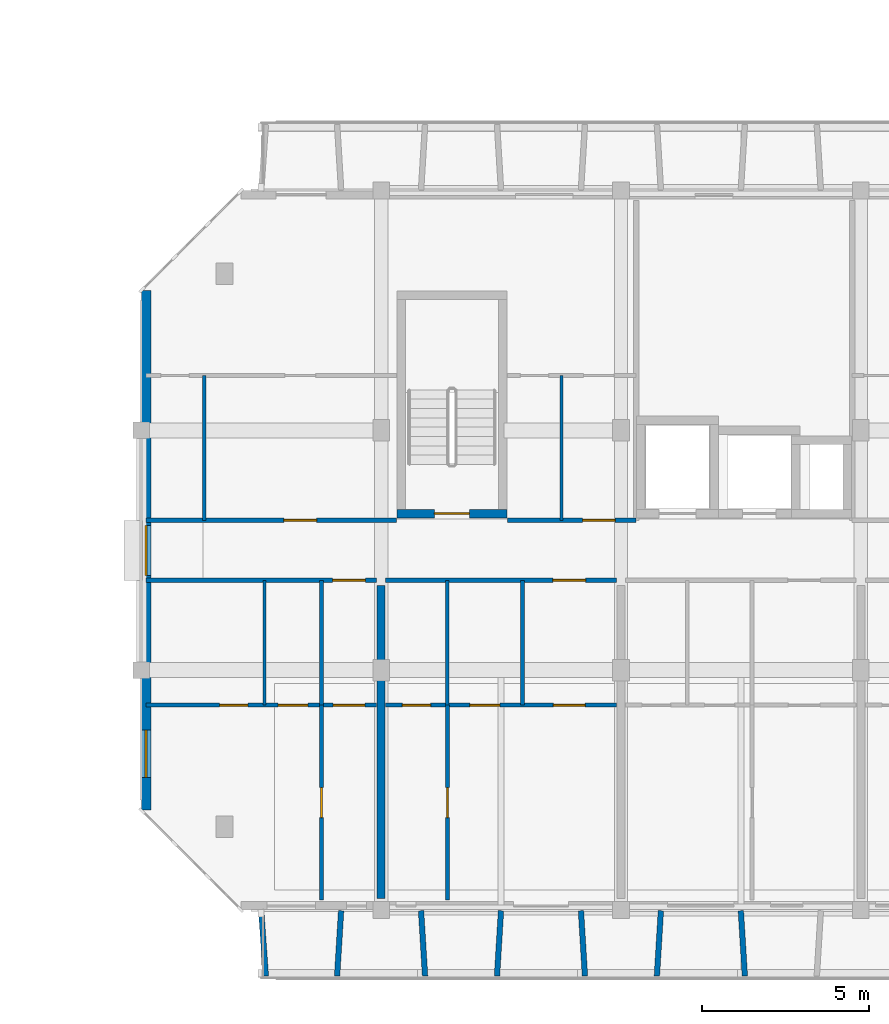
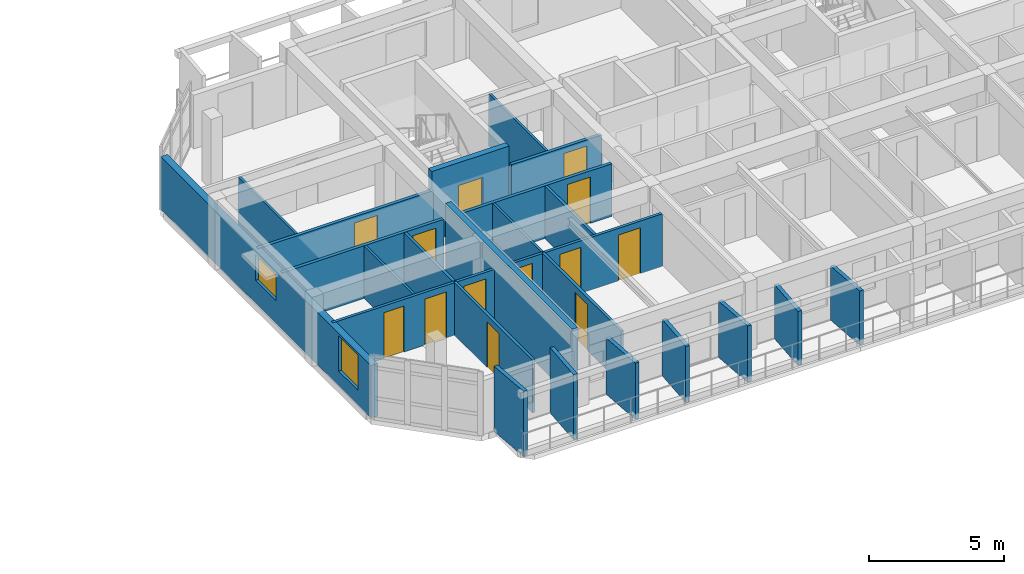
# One storey, part 23 of 45: 24 walls, 13 doors, 2 windows, 15 openings.
"""IFC4 building model written with IfcOpenShell, lengths in metres."""

from ifc_helpers import new_model, si_unit, direction, frame, frame_2d, origin, place, context, subcontext, project, spatial, rectangle, extrude, material, layer, layer_set, type_object, element, fill, save


model = new_model("IFC4")

# Units and contexts
model_context = context("Model", 3, precision=1e-05, world=origin(), true_north=direction((0.0, 1.0)))
body_context = subcontext(model_context, "Body", "Model", "MODEL_VIEW")
ifc_project = project(units=[si_unit("LENGTHUNIT", "METRE"), si_unit("AREAUNIT", "SQUARE_METRE"), si_unit("VOLUMEUNIT", "CUBIC_METRE"), si_unit("PLANEANGLEUNIT", "RADIAN"), si_unit("MASSUNIT", "GRAM", prefix="KILO")], contexts=[model_context])

# Site, building, storey
site_placement = place(None, origin())
site = spatial("IfcSite", under=ifc_project, at=site_placement, CompositionType="ELEMENT")
building_placement = place(site_placement, origin())
building = spatial("IfcBuilding", under=site, at=building_placement, Name="Ochrevale Crest", CompositionType="ELEMENT")
storey_placement = place(building_placement, frame((0.0, 0.0, 18.14990234375)))
storey = spatial("IfcBuildingStorey", under=building, at=storey_placement, Name="L05", CompositionType="ELEMENT", Elevation=18.14990234375)

# Wall, opening, door
ifc_material_1 = material(Name="Gypsum plasterboard", Category="gypsum")
ifc_layer_1 = layer(ifc_material_1, 0.139892578125)
ifc_layer_set_1 = layer_set([ifc_layer_1], Name="Gypsum plasterboard")
wall_type_1 = type_object("IfcWallType", Name="WL-COR-140", PredefinedType="PARTITIONING", material=ifc_layer_set_1)
wall_1_placement = place(storey_placement, frame((129.739990234375, 24.300048828125, 0.0), z_axis=(0.0, 0.0, 1.0), x_axis=(1.0, 0.0, 0.0)))
wall_1 = element("IfcWall", 1, at=wall_1_placement, inside=storey, type_object=wall_type_1, Name="Apartment C-L05-U1 corridor wall", PredefinedType="PARTITIONING", context=body_context, shape_type="SweptSolid", body=[
    extrude(rectangle(XDim=6.919921875, YDim=0.139892578125, at=frame_2d((3.4599609375, 0.0))), origin(), (0.0, 0.0, 1.0), 2.380126953125),
])
opening_1_placement = place(wall_1_placement, frame((5.60498046875, 0.0, 0.0)))
opening_1 = element("IfcOpeningElement", 2, at=opening_1_placement, cuts=wall_1, Name="Opening FD01", PredefinedType="OPENING", context=body_context, shape_type="SweptSolid", body=[
    extrude(rectangle(XDim=0.97998046875, YDim=2.10009765625, at=frame_2d((0.489990234375, 1.050048828125))), frame((0.0, 0.080078125, 0.0), z_axis=(0.0, -1.0, 0.0), x_axis=(1.0, 0.0, 0.0)), (0.0, 0.0, 1.0), 0.159912109375),
])
ifc_material_2 = material(Name="Solid-core FSC hardwood", Category="wood")
door_type_1 = type_object("IfcDoorType", Name="DR-APT-950", OperationType="NOTDEFINED", PredefinedType="DOOR", material=ifc_material_2)
door_1_placement = place(opening_1_placement, origin())
door_1 = element("IfcDoor", 3, at=door_1_placement, inside=storey, type_object=door_type_1, Name="Apartment C-L05-U1 entrance door", OperationType="SINGLE_SWING_LEFT", OverallHeight=2.10009765625, OverallWidth=0.97998046875, PredefinedType="DOOR", context=body_context, shape_type="SweptSolid", body=[
    extrude(rectangle(XDim=0.97998046875, YDim=2.10009765625, at=frame_2d((0.489990234375, 1.050048828125))), frame((0.0, 0.02490234375, 0.0), z_axis=(0.0, -1.0, 0.0), x_axis=(1.0, 0.0, 0.0)), (0.0, 0.0, 1.0), 0.050048828125),
])
fill(opening_1, door_1)

wall_2_placement = place(storey_placement, frame((136.93994140625, 24.300048828125, 0.0), z_axis=(0.0, 0.0, 1.0), x_axis=(1.0, 0.0, 0.0)))
wall_2 = element("IfcWall", 4, at=wall_2_placement, inside=storey, type_object=wall_type_1, Name="Apartment C-L05-U2 corridor wall", PredefinedType="PARTITIONING", context=body_context, shape_type="SweptSolid", body=[
    extrude(rectangle(XDim=6.920166015625, YDim=0.139892578125, at=frame_2d((3.4599609375, 0.0))), origin(), (0.0, 0.0, 1.0), 2.380126953125),
])
opening_2_placement = place(wall_2_placement, frame((6.0, 0.0, 0.0), z_axis=(0.0, 0.0, 1.0), x_axis=(-1.0, 0.0, 0.0)))
opening_2 = element("IfcOpeningElement", 5, at=opening_2_placement, cuts=wall_2, Name="Opening FD01", PredefinedType="OPENING", context=body_context, shape_type="SweptSolid", body=[
    extrude(rectangle(XDim=0.97998046875, YDim=2.10009765625, at=frame_2d((0.489990234375, 1.050048828125))), frame((0.0, 0.080078125, 0.0), z_axis=(0.0, -1.0, 0.0), x_axis=(1.0, 0.0, 0.0)), (0.0, 0.0, 1.0), 0.159912109375),
])
door_2_placement = place(opening_2_placement, origin())
door_2 = element("IfcDoor", 6, at=door_2_placement, inside=storey, type_object=door_type_1, Name="Apartment C-L05-U2 entrance door", OperationType="SINGLE_SWING_RIGHT", OverallHeight=2.10009765625, OverallWidth=0.97998046875, PredefinedType="DOOR", context=body_context, shape_type="SweptSolid", body=[
    extrude(rectangle(XDim=0.97998046875, YDim=2.10009765625, at=frame_2d((0.489990234375, 1.050048828125))), frame((0.0, 0.02490234375, 0.0), z_axis=(0.0, -1.0, 0.0), x_axis=(1.0, 0.0, 0.0)), (0.0, 0.0, 1.0), 0.050048828125),
])
fill(opening_2, door_2)

wall_3_placement = place(storey_placement, frame((129.739990234375, 26.10009765625, 0.0), z_axis=(0.0, 0.0, 1.0), x_axis=(1.0, 0.0, 0.0)))
wall_3 = element("IfcWall", 7, at=wall_3_placement, inside=storey, type_object=wall_type_1, Name="Suite C-L05-CW corridor wall", PredefinedType="PARTITIONING", context=body_context, shape_type="SweptSolid", body=[
    extrude(rectangle(XDim=7.52001953125, YDim=0.139892578125, at=frame_2d((3.760009765625, 0.0))), origin(), (0.0, 0.0, 1.0), 2.380126953125),
])
opening_3_placement = place(wall_3_placement, frame((5.125, 0.0, 0.0), z_axis=(0.0, 0.0, 1.0), x_axis=(-1.0, 0.0, 0.0)))
opening_3 = element("IfcOpeningElement", 8, at=opening_3_placement, cuts=wall_3, Name="Opening FD01", PredefinedType="OPENING", context=body_context, shape_type="SweptSolid", body=[
    extrude(rectangle(XDim=0.97998046875, YDim=2.10009765625, at=frame_2d((0.489990234375, 1.050048828125))), frame((0.0, 0.080078125, 0.0), z_axis=(0.0, -1.0, 0.0), x_axis=(1.0, 0.0, 0.0)), (0.0, 0.0, 1.0), 0.159912109375),
])
door_3_placement = place(opening_3_placement, origin())
door_3 = element("IfcDoor", 9, at=door_3_placement, inside=storey, type_object=door_type_1, Name="Suite C-L05-CW entrance door", OperationType="SINGLE_SWING_RIGHT", OverallHeight=2.10009765625, OverallWidth=0.97998046875, PredefinedType="DOOR", context=body_context, shape_type="SweptSolid", body=[
    extrude(rectangle(XDim=0.97998046875, YDim=2.10009765625, at=frame_2d((0.489990234375, 1.050048828125))), frame((0.0, 0.02490234375, 0.0), z_axis=(0.0, -1.0, 0.0), x_axis=(1.0, 0.0, 0.0)), (0.0, 0.0, 1.0), 0.050048828125),
])
fill(opening_3, door_3)

wall_4_placement = place(storey_placement, frame((140.590087890625, 26.10009765625, 0.0), z_axis=(0.0, 0.0, 1.0), x_axis=(1.0, 0.0, 0.0)))
wall_4 = element("IfcWall", 10, at=wall_4_placement, inside=storey, type_object=wall_type_1, Name="Suite C-L05-MW corridor wall", PredefinedType="PARTITIONING", context=body_context, shape_type="SweptSolid", body=[
    extrude(rectangle(XDim=3.869873046875, YDim=0.139892578125, at=frame_2d((1.93505859375, 0.0))), origin(), (0.0, 0.0, 1.0), 2.380126953125),
])
opening_4_placement = place(wall_4_placement, frame((2.2578125, 0.0, 0.0)))
opening_4 = element("IfcOpeningElement", 11, at=opening_4_placement, cuts=wall_4, Name="Opening FD01", PredefinedType="OPENING", context=body_context, shape_type="SweptSolid", body=[
    extrude(rectangle(XDim=0.97998046875, YDim=2.10009765625, at=frame_2d((0.489990234375, 1.050048828125))), frame((0.0, 0.080078125, 0.0), z_axis=(0.0, -1.0, 0.0), x_axis=(1.0, 0.0, 0.0)), (0.0, 0.0, 1.0), 0.159912109375),
])
door_4_placement = place(opening_4_placement, origin())
door_4 = element("IfcDoor", 12, at=door_4_placement, inside=storey, type_object=door_type_1, Name="Suite C-L05-MW entrance door", OperationType="SINGLE_SWING_LEFT", OverallHeight=2.10009765625, OverallWidth=0.97998046875, PredefinedType="DOOR", context=body_context, shape_type="SweptSolid", body=[
    extrude(rectangle(XDim=0.97998046875, YDim=2.10009765625, at=frame_2d((0.489990234375, 1.050048828125))), frame((0.0, 0.02490234375, 0.0), z_axis=(0.0, -1.0, 0.0), x_axis=(1.0, 0.0, 0.0)), (0.0, 0.0, 1.0), 0.050048828125),
])
fill(opening_4, door_4)

ifc_material_3 = material(Name="Precast concrete C50/60", Category="concrete")
ifc_layer_2 = layer(ifc_material_3, 0.2548828125)
ifc_layer_set_2 = layer_set([ifc_layer_2], Name="Precast concrete C50/60")
wall_type_2 = type_object("IfcWallType", Name="WL-CORE-255", PredefinedType="SHEAR", material=ifc_layer_set_2)
wall_5_placement = place(storey_placement, frame((137.2724609375, 26.300048828125, 0.0), z_axis=(0.0, 0.0, 1.0), x_axis=(1.0, 0.0, 0.0)))
wall_5 = element("IfcWall", 13, at=wall_5_placement, inside=storey, type_object=wall_type_2, Name="Block C L05 Stair 1 precast core shear wall S", PredefinedType="SHEAR", context=body_context, shape_type="SweptSolid", body=[
    extrude(rectangle(XDim=3.304931640625, YDim=0.2548828125, at=frame_2d((1.65234375, 0.0))), origin(), (0.0, 0.0, 1.0), 3.150146484375),
])
opening_5_placement = place(wall_5_placement, frame((2.177490234375, 0.0, 0.0), z_axis=(0.0, 0.0, 1.0), x_axis=(-1.0, 0.0, 0.0)))
opening_5 = element("IfcOpeningElement", 14, at=opening_5_placement, cuts=wall_5, Name="Opening FD03", PredefinedType="OPENING", context=body_context, shape_type="SweptSolid", body=[
    extrude(rectangle(XDim=1.050048828125, YDim=2.1201171875, at=frame_2d((0.52490234375, 1.06005859375))), frame((0.0, 0.137451171875, 0.0), z_axis=(0.0, -1.0, 0.0), x_axis=(1.0, 0.0, 0.0)), (0.0, 0.0, 1.0), 0.27490234375),
])
door_type_2 = type_object("IfcDoorType", Name="DR-ST-1050", OperationType="NOTDEFINED", PredefinedType="DOOR", material=ifc_material_2)
door_5_placement = place(opening_5_placement, origin())
door_5 = element("IfcDoor", 15, at=door_5_placement, inside=storey, type_object=door_type_2, Name="Block C L05 fire stair 1 door", OperationType="SINGLE_SWING_RIGHT", OverallHeight=2.1201171875, OverallWidth=1.050048828125, PredefinedType="DOOR", context=body_context, shape_type="SweptSolid", body=[
    extrude(rectangle(XDim=1.050048828125, YDim=2.1201171875, at=frame_2d((0.52490234375, 1.06005859375))), frame((0.0, 0.02490234375, 0.0), z_axis=(0.0, -1.0, 0.0), x_axis=(1.0, 0.0, 0.0)), (0.0, 0.0, 1.0), 0.050048828125),
])
fill(opening_5, door_5)

# Wall, openings, windows
ifc_material_4 = material(Name="Clay face brickwork", Category="masonry")
ifc_layer_3 = layer(ifc_material_4, 0.2900390625)
ifc_layer_set_3 = layer_set([ifc_layer_3], Name="Clay face brickwork")
wall_type_3 = type_object("IfcWallType", Name="WL-EXT-BRICK-290", PredefinedType="SOLIDWALL", material=ifc_layer_set_3)
wall_6_placement = place(storey_placement, frame((129.7451171875, 33.0, 0.0), z_axis=(0.0, 0.0, 1.0), x_axis=(0.0, -1.0, 0.0)))
wall_6 = element("IfcWall", 16, at=wall_6_placement, inside=storey, type_object=wall_type_3, Name="Block C L05 external facade wall E7", PredefinedType="SOLIDWALL", context=body_context, shape_type="SweptSolid", body=[
    extrude(rectangle(XDim=15.60009765625, YDim=0.2900390625, at=frame_2d((7.800048828125, 0.0))), origin(), (0.0, 0.0, 1.0), 2.380126953125),
])
opening_6_placement = place(wall_6_placement, frame((7.050048828125, 0.0, 1.050048828125)))
opening_6 = element("IfcOpeningElement", 17, at=opening_6_placement, cuts=wall_6, Name="Opening W18", PredefinedType="OPENING", context=body_context, shape_type="SweptSolid", body=[
    extrude(rectangle(XDim=1.5, YDim=1.14990234375, at=frame_2d((0.75, 0.574951171875))), frame((0.0, 0.155029296875, 0.0), z_axis=(0.0, -1.0, 0.0), x_axis=(1.0, 0.0, 0.0)), (0.0, 0.0, 1.0), 0.31005859375),
])
opening_7_placement = place(wall_6_placement, frame((13.199951171875, 0.0, 0.669921875)))
opening_7 = element("IfcOpeningElement", 18, at=opening_7_placement, cuts=wall_6, Name="Opening W31", PredefinedType="OPENING", context=body_context, shape_type="SweptSolid", body=[
    extrude(rectangle(XDim=1.419921875, YDim=1.60009765625, at=frame_2d((0.7099609375, 0.800048828125))), frame((0.0, 0.155029296875, 0.0), z_axis=(0.0, -1.0, 0.0), x_axis=(1.0, 0.0, 0.0)), (0.0, 0.0, 1.0), 0.31005859375),
])
ifc_material_5 = material(Name="Anodised aluminium 6063-T5 and low-E double glazing", Category="aluminium")
window_type_1 = type_object("IfcWindowType", Name="WIN-W18", PartitioningType="SINGLE_PANEL", PredefinedType="WINDOW", material=ifc_material_5)
window_1_placement = place(opening_6_placement, origin())
window_1 = element("IfcWindow", 19, at=window_1_placement, inside=storey, type_object=window_type_1, Name="Block C L05 corridor end daylight window W", OverallHeight=1.14990234375, OverallWidth=1.5, PartitioningType="SINGLE_PANEL", PredefinedType="WINDOW", context=body_context, shape_type="SweptSolid", body=[
    extrude(rectangle(XDim=1.5, YDim=1.14990234375, at=frame_2d((0.75, 0.574951171875))), frame((0.0, 0.030029296875, 0.0), z_axis=(0.0, -1.0, 0.0), x_axis=(1.0, 0.0, 0.0)), (0.0, 0.0, 1.0), 0.06005859375),
])
fill(opening_6, window_1)
window_type_2 = type_object("IfcWindowType", Name="WIN-W31", PartitioningType="SINGLE_PANEL", PredefinedType="WINDOW", material=ifc_material_5)
window_2_placement = place(opening_7_placement, origin())
window_2 = element("IfcWindow", 20, at=window_2_placement, inside=storey, type_object=window_type_2, Name="Block C L05 side suite window W", OverallHeight=1.60009765625, OverallWidth=1.419921875, PartitioningType="SINGLE_PANEL", PredefinedType="WINDOW", context=body_context, shape_type="SweptSolid", body=[
    extrude(rectangle(XDim=1.419921875, YDim=1.60009765625, at=frame_2d((0.7099609375, 0.800048828125))), frame((0.0, 0.030029296875, 0.0), z_axis=(0.0, -1.0, 0.0), x_axis=(1.0, 0.0, 0.0)), (0.0, 0.0, 1.0), 0.06005859375),
])
fill(opening_7, window_2)

# Walls
ifc_material_6 = material(Name="Precast concrete C40/50", Category="concrete")
ifc_layer_4 = layer(ifc_material_6, 0.1650390625)
ifc_layer_set_4 = layer_set([ifc_layer_4], Name="Precast concrete C40/50")
wall_type_4 = type_object("IfcWallType", Name="WL-HC-CHEEK-165", PredefinedType="ELEMENTEDWALL", material=ifc_layer_set_4)
wall_7_placement = place(storey_placement, frame((133.199951171875, 14.3798828125, 0.0), z_axis=(0.0, 0.0, 1.0), x_axis=(0.071317687608, -0.997453651772, 0.0)))
element("IfcWall", 21, at=wall_7_placement, inside=storey, type_object=wall_type_4, Name="Block C L05 S precast honeycomb cheek 1", PredefinedType="ELEMENTEDWALL", context=body_context, shape_type="SweptSolid", body=[
    extrude(rectangle(XDim=1.96484375, YDim=0.1650390625, at=frame_2d((0.982421875, 0.0))), origin(), (0.0, 0.0, 1.0), 2.9501953125),
])
wall_8_placement = place(storey_placement, frame((135.60009765625, 14.3798828125, 0.0), z_axis=(0.0, 0.0, 1.0), x_axis=(-0.061170732449, -0.998127317276, 0.0)))
element("IfcWall", 22, at=wall_8_placement, inside=storey, type_object=wall_type_4, Name="Block C L05 S precast honeycomb cheek 2", PredefinedType="ELEMENTEDWALL", context=body_context, shape_type="SweptSolid", body=[
    extrude(rectangle(XDim=1.963623046875, YDim=0.1650390625, at=frame_2d((0.98193359375, 0.0))), origin(), (0.0, 0.0, 1.0), 2.9501953125),
])
for number, where, z_axis, x_axis, name in (
    (23, (138.0, 14.3798828125, 0.0), (0.0, 0.0, 1.0), (0.061170732449, -0.998127317276, 0.0), "Block C L05 S precast honeycomb cheek 3"),
    (24, (140.39990234375, 14.3798828125, 0.0), (0.0, 0.0, 1.0), (-0.061046865508, -0.998134900808, 0.0), "Block C L05 S precast honeycomb cheek 4"),
    (25, (142.800048828125, 14.3798828125, 0.0), (0.0, 0.0, 1.0), (0.061046865508, -0.998134900808, 0.0), "Block C L05 S precast honeycomb cheek 5"),
):
    element("IfcWall", number, at=place(storey_placement, frame(where, z_axis=z_axis, x_axis=x_axis)), inside=storey, type_object=wall_type_4, Name=name, PredefinedType="ELEMENTEDWALL", context=body_context, shape_type="SweptSolid", body=[
        extrude(rectangle(XDim=1.963623046875, YDim=0.1650390625, at=frame_2d((0.98193359375, 0.0))), origin(), (0.0, 0.0, 1.0), 2.550048828125),
    ])
for number, where, z_axis, x_axis, name in (
    (26, (145.199951171875, 14.3798828125, 0.0), (0.0, 0.0, 1.0), (-0.061046865508, -0.998134900808, 0.0), "Block C L05 S precast honeycomb cheek 6"),
    (27, (147.60009765625, 14.3798828125, 0.0), (0.0, 0.0, 1.0), (0.061046865508, -0.998134900808, 0.0), "Block C L05 S precast honeycomb cheek 7"),
):
    element("IfcWall", number, at=place(storey_placement, frame(where, z_axis=z_axis, x_axis=x_axis)), inside=storey, type_object=wall_type_4, Name=name, PredefinedType="ELEMENTEDWALL", context=body_context, shape_type="SweptSolid", body=[
        extrude(rectangle(XDim=1.963623046875, YDim=0.1650390625, at=frame_2d((0.98193359375, 0.0))), origin(), (0.0, 0.0, 1.0), 2.4501953125),
    ])
ifc_layer_5 = layer(ifc_material_1, 0.1201171875)
ifc_layer_set_5 = layer_set([ifc_layer_5], Name="Gypsum plasterboard")
wall_type_5 = type_object("IfcWallType", Name="WL-PART-120", PredefinedType="PARTITIONING", material=ifc_layer_set_5)
wall_9_placement = place(storey_placement, frame((135.010009765625, 20.550048828125, 0.0), z_axis=(0.0, 0.0, 1.0), x_axis=(0.0, 1.0, 0.0)))
element("IfcWall", 28, at=wall_9_placement, inside=storey, type_object=wall_type_5, Name="Apartment C-L05-U1 kitchen-foyer wall", PredefinedType="PARTITIONING", context=body_context, shape_type="SweptSolid", body=[
    extrude(rectangle(XDim=3.75, YDim=0.1201171875, at=frame_2d((1.875, 0.0))), origin(), (0.0, 0.0, 1.0), 2.375),
])

# Wall, openings, doors
wall_10_placement = place(storey_placement, frame((129.739990234375, 20.550048828125, 0.0), z_axis=(0.0, 0.0, 1.0), x_axis=(1.0, 0.0, 0.0)))
wall_10 = element("IfcWall", 29, at=wall_10_placement, inside=storey, type_object=wall_type_5, Name="Apartment C-L05-U1 central partition", PredefinedType="PARTITIONING", context=body_context, shape_type="SweptSolid", body=[
    extrude(rectangle(XDim=6.919921875, YDim=0.1201171875, at=frame_2d((3.4599609375, 0.0))), origin(), (0.0, 0.0, 1.0), 2.380126953125),
])
opening_8_placement = place(wall_10_placement, frame((3.06005859375, 0.0, 0.0), z_axis=(0.0, 0.0, 1.0), x_axis=(-1.0, 0.0, 0.0)))
opening_8 = element("IfcOpeningElement", 30, at=opening_8_placement, cuts=wall_10, Name="Opening ID01", PredefinedType="OPENING", context=body_context, shape_type="SweptSolid", body=[
    extrude(rectangle(XDim=0.85009765625, YDim=2.080078125, at=frame_2d((0.425048828125, 1.0400390625))), frame((0.0, 0.070068359375, 0.0), z_axis=(0.0, -1.0, 0.0), x_axis=(1.0, 0.0, 0.0)), (0.0, 0.0, 1.0), 0.14013671875),
])
opening_9_placement = place(wall_10_placement, frame((3.965087890625, 0.0, 0.0)))
opening_9 = element("IfcOpeningElement", 31, at=opening_9_placement, cuts=wall_10, Name="Opening ID02", PredefinedType="OPENING", context=body_context, shape_type="SweptSolid", body=[
    extrude(rectangle(XDim=0.89990234375, YDim=2.080078125, at=frame_2d((0.449951171875, 1.0400390625))), frame((0.0, 0.070068359375, 0.0), z_axis=(0.0, -1.0, 0.0), x_axis=(1.0, 0.0, 0.0)), (0.0, 0.0, 1.0), 0.14013671875),
])
opening_10_placement = place(wall_10_placement, frame((6.570068359375, 0.0, 0.0), z_axis=(0.0, 0.0, 1.0), x_axis=(-1.0, 0.0, 0.0)))
opening_10 = element("IfcOpeningElement", 32, at=opening_10_placement, cuts=wall_10, Name="Opening ID06", PredefinedType="OPENING", context=body_context, shape_type="SweptSolid", body=[
    extrude(rectangle(XDim=0.949951171875, YDim=2.080078125, at=frame_2d((0.47509765625, 1.0400390625))), frame((0.0, 0.070068359375, 0.0), z_axis=(0.0, -1.0, 0.0), x_axis=(1.0, 0.0, 0.0)), (0.0, 0.0, 1.0), 0.14013671875),
])
door_type_3 = type_object("IfcDoorType", Name="DR-INT-900", OperationType="NOTDEFINED", PredefinedType="DOOR", material=ifc_material_2)
door_6_placement = place(opening_9_placement, origin())
door_6 = element("IfcDoor", 33, at=door_6_placement, inside=storey, type_object=door_type_3, Name="Apartment C-L05-U1 Kitchen door", OperationType="SINGLE_SWING_LEFT", OverallHeight=2.080078125, OverallWidth=0.89990234375, PredefinedType="DOOR", context=body_context, shape_type="SweptSolid", body=[
    extrude(rectangle(XDim=0.89990234375, YDim=2.080078125, at=frame_2d((0.449951171875, 1.0400390625))), frame((0.0, 0.02490234375, 0.0), z_axis=(0.0, -1.0, 0.0), x_axis=(1.0, 0.0, 0.0)), (0.0, 0.0, 1.0), 0.050048828125),
])
fill(opening_9, door_6)
door_type_4 = type_object("IfcDoorType", Name="DR-INT-950", OperationType="NOTDEFINED", PredefinedType="DOOR", material=ifc_material_2)
door_7_placement = place(opening_10_placement, origin())
door_7 = element("IfcDoor", 34, at=door_7_placement, inside=storey, type_object=door_type_4, Name="Apartment C-L05-U1 Living Foyer door", OperationType="SINGLE_SWING_RIGHT", OverallHeight=2.080078125, OverallWidth=0.949951171875, PredefinedType="DOOR", context=body_context, shape_type="SweptSolid", body=[
    extrude(rectangle(XDim=0.949951171875, YDim=2.080078125, at=frame_2d((0.47509765625, 1.0400390625))), frame((0.0, 0.02490234375, 0.0), z_axis=(0.0, -1.0, 0.0), x_axis=(1.0, 0.0, 0.0)), (0.0, 0.0, 1.0), 0.050048828125),
])
fill(opening_10, door_7)
door_type_5 = type_object("IfcDoorType", Name="DR-WC-850", OperationType="NOTDEFINED", PredefinedType="DOOR", material=ifc_material_2)
door_8_placement = place(opening_8_placement, origin())
door_8 = element("IfcDoor", 35, at=door_8_placement, inside=storey, type_object=door_type_5, Name="Apartment C-L05-U1 Bathroom door", OperationType="SINGLE_SWING_RIGHT", OverallHeight=2.080078125, OverallWidth=0.85009765625, PredefinedType="DOOR", context=body_context, shape_type="SweptSolid", body=[
    extrude(rectangle(XDim=0.85009765625, YDim=2.080078125, at=frame_2d((0.425048828125, 1.0400390625))), frame((0.0, 0.02490234375, 0.0), z_axis=(0.0, -1.0, 0.0), x_axis=(1.0, 0.0, 0.0)), (0.0, 0.0, 1.0), 0.050048828125),
])
fill(opening_8, door_8)

# Wall, opening, door
wall_11_placement = place(storey_placement, frame((135.010009765625, 14.699951171875, 0.0), z_axis=(0.0, 0.0, 1.0), x_axis=(0.0, 1.0, 0.0)))
wall_11 = element("IfcWall", 36, at=wall_11_placement, inside=storey, type_object=wall_type_5, Name="Apartment C-L05-U1 bedroom partition", PredefinedType="PARTITIONING", context=body_context, shape_type="SweptSolid", body=[
    extrude(rectangle(XDim=5.85009765625, YDim=0.1201171875, at=frame_2d((2.925048828125, 0.0))), origin(), (0.0, 0.0, 1.0), 2.380126953125),
])
opening_11_placement = place(wall_11_placement, frame((2.47509765625, 0.0, 0.0)))
opening_11 = element("IfcOpeningElement", 37, at=opening_11_placement, cuts=wall_11, Name="Opening ID02", PredefinedType="OPENING", context=body_context, shape_type="SweptSolid", body=[
    extrude(rectangle(XDim=0.89990234375, YDim=2.080078125, at=frame_2d((0.449951171875, 1.0400390625))), frame((0.0, 0.070068359375, 0.0), z_axis=(0.0, -1.0, 0.0), x_axis=(1.0, 0.0, 0.0)), (0.0, 0.0, 1.0), 0.14013671875),
])
door_9_placement = place(opening_11_placement, origin())
door_9 = element("IfcDoor", 38, at=door_9_placement, inside=storey, type_object=door_type_3, Name="Apartment C-L05-U1 Master Bedroom door", OperationType="SINGLE_SWING_LEFT", OverallHeight=2.080078125, OverallWidth=0.89990234375, PredefinedType="DOOR", context=body_context, shape_type="SweptSolid", body=[
    extrude(rectangle(XDim=0.89990234375, YDim=2.080078125, at=frame_2d((0.449951171875, 1.0400390625))), frame((0.0, 0.02490234375, 0.0), z_axis=(0.0, -1.0, 0.0), x_axis=(1.0, 0.0, 0.0)), (0.0, 0.0, 1.0), 0.050048828125),
])
fill(opening_11, door_9)

# Wall
wall_12_placement = place(storey_placement, frame((141.0400390625, 20.550048828125, 0.0), z_axis=(0.0, 0.0, 1.0), x_axis=(0.0, 1.0, 0.0)))
element("IfcWall", 39, at=wall_12_placement, inside=storey, type_object=wall_type_5, Name="Apartment C-L05-U2 kitchen-foyer wall", PredefinedType="PARTITIONING", context=body_context, shape_type="SweptSolid", body=[
    extrude(rectangle(XDim=3.75, YDim=0.1201171875, at=frame_2d((1.875, 0.0))), origin(), (0.0, 0.0, 1.0), 2.375),
])

# Wall, openings, doors
wall_13_placement = place(storey_placement, frame((136.93994140625, 20.550048828125, 0.0), z_axis=(0.0, 0.0, 1.0), x_axis=(1.0, 0.0, 0.0)))
wall_13 = element("IfcWall", 40, at=wall_13_placement, inside=storey, type_object=wall_type_5, Name="Apartment C-L05-U2 central partition", PredefinedType="PARTITIONING", context=body_context, shape_type="SweptSolid", body=[
    extrude(rectangle(XDim=6.920166015625, YDim=0.1201171875, at=frame_2d((3.4599609375, 0.0))), origin(), (0.0, 0.0, 1.0), 2.380126953125),
])
opening_12_placement = place(wall_13_placement, frame((0.5, 0.0, 0.0)))
opening_12 = element("IfcOpeningElement", 41, at=opening_12_placement, cuts=wall_13, Name="Opening ID01", PredefinedType="OPENING", context=body_context, shape_type="SweptSolid", body=[
    extrude(rectangle(XDim=0.85009765625, YDim=2.080078125, at=frame_2d((0.425048828125, 1.0400390625))), frame((0.0, 0.070068359375, 0.0), z_axis=(0.0, -1.0, 0.0), x_axis=(1.0, 0.0, 0.0)), (0.0, 0.0, 1.0), 0.14013671875),
])
opening_13_placement = place(wall_13_placement, frame((3.4248046875, 0.0, 0.0), z_axis=(0.0, 0.0, 1.0), x_axis=(-1.0, 0.0, 0.0)))
opening_13 = element("IfcOpeningElement", 42, at=opening_13_placement, cuts=wall_13, Name="Opening ID02", PredefinedType="OPENING", context=body_context, shape_type="SweptSolid", body=[
    extrude(rectangle(XDim=0.89990234375, YDim=2.080078125, at=frame_2d((0.449951171875, 1.0400390625))), frame((0.0, 0.070068359375, 0.0), z_axis=(0.0, -1.0, 0.0), x_axis=(1.0, 0.0, 0.0)), (0.0, 0.0, 1.0), 0.14013671875),
])
opening_14_placement = place(wall_13_placement, frame((5.034912109375, 0.0, 0.0)))
opening_14 = element("IfcOpeningElement", 43, at=opening_14_placement, cuts=wall_13, Name="Opening ID06", PredefinedType="OPENING", context=body_context, shape_type="SweptSolid", body=[
    extrude(rectangle(XDim=0.949951171875, YDim=2.080078125, at=frame_2d((0.47509765625, 1.0400390625))), frame((0.0, 0.070068359375, 0.0), z_axis=(0.0, -1.0, 0.0), x_axis=(1.0, 0.0, 0.0)), (0.0, 0.0, 1.0), 0.14013671875),
])
door_10_placement = place(opening_13_placement, origin())
door_10 = element("IfcDoor", 44, at=door_10_placement, inside=storey, type_object=door_type_3, Name="Apartment C-L05-U2 Kitchen door", OperationType="SINGLE_SWING_RIGHT", OverallHeight=2.080078125, OverallWidth=0.89990234375, PredefinedType="DOOR", context=body_context, shape_type="SweptSolid", body=[
    extrude(rectangle(XDim=0.89990234375, YDim=2.080078125, at=frame_2d((0.449951171875, 1.0400390625))), frame((0.0, 0.02490234375, 0.0), z_axis=(0.0, -1.0, 0.0), x_axis=(1.0, 0.0, 0.0)), (0.0, 0.0, 1.0), 0.050048828125),
])
fill(opening_13, door_10)
door_11_placement = place(opening_14_placement, origin())
door_11 = element("IfcDoor", 45, at=door_11_placement, inside=storey, type_object=door_type_4, Name="Apartment C-L05-U2 Living Foyer door", OperationType="SINGLE_SWING_LEFT", OverallHeight=2.080078125, OverallWidth=0.949951171875, PredefinedType="DOOR", context=body_context, shape_type="SweptSolid", body=[
    extrude(rectangle(XDim=0.949951171875, YDim=2.080078125, at=frame_2d((0.47509765625, 1.0400390625))), frame((0.0, 0.02490234375, 0.0), z_axis=(0.0, -1.0, 0.0), x_axis=(1.0, 0.0, 0.0)), (0.0, 0.0, 1.0), 0.050048828125),
])
fill(opening_14, door_11)
door_12_placement = place(opening_12_placement, origin())
door_12 = element("IfcDoor", 46, at=door_12_placement, inside=storey, type_object=door_type_5, Name="Apartment C-L05-U2 Bathroom door", OperationType="SINGLE_SWING_LEFT", OverallHeight=2.080078125, OverallWidth=0.85009765625, PredefinedType="DOOR", context=body_context, shape_type="SweptSolid", body=[
    extrude(rectangle(XDim=0.85009765625, YDim=2.080078125, at=frame_2d((0.425048828125, 1.0400390625))), frame((0.0, 0.02490234375, 0.0), z_axis=(0.0, -1.0, 0.0), x_axis=(1.0, 0.0, 0.0)), (0.0, 0.0, 1.0), 0.050048828125),
])
fill(opening_12, door_12)

# Wall, opening, door
wall_14_placement = place(storey_placement, frame((138.7900390625, 14.699951171875, 0.0), z_axis=(0.0, 0.0, 1.0), x_axis=(0.0, 1.0, 0.0)))
wall_14 = element("IfcWall", 47, at=wall_14_placement, inside=storey, type_object=wall_type_5, Name="Apartment C-L05-U2 bedroom partition", PredefinedType="PARTITIONING", context=body_context, shape_type="SweptSolid", body=[
    extrude(rectangle(XDim=5.85009765625, YDim=0.1201171875, at=frame_2d((2.925048828125, 0.0))), origin(), (0.0, 0.0, 1.0), 2.380126953125),
])
opening_15_placement = place(wall_14_placement, frame((3.375, 0.0, 0.0), z_axis=(0.0, 0.0, 1.0), x_axis=(-1.0, 0.0, 0.0)))
opening_15 = element("IfcOpeningElement", 48, at=opening_15_placement, cuts=wall_14, Name="Opening ID02", PredefinedType="OPENING", context=body_context, shape_type="SweptSolid", body=[
    extrude(rectangle(XDim=0.89990234375, YDim=2.080078125, at=frame_2d((0.449951171875, 1.0400390625))), frame((0.0, 0.070068359375, 0.0), z_axis=(0.0, -1.0, 0.0), x_axis=(1.0, 0.0, 0.0)), (0.0, 0.0, 1.0), 0.14013671875),
])
door_13_placement = place(opening_15_placement, origin())
door_13 = element("IfcDoor", 49, at=door_13_placement, inside=storey, type_object=door_type_3, Name="Apartment C-L05-U2 Twin Bedroom door", OperationType="SINGLE_SWING_RIGHT", OverallHeight=2.080078125, OverallWidth=0.89990234375, PredefinedType="DOOR", context=body_context, shape_type="SweptSolid", body=[
    extrude(rectangle(XDim=0.89990234375, YDim=2.080078125, at=frame_2d((0.449951171875, 1.0400390625))), frame((0.0, 0.02490234375, 0.0), z_axis=(0.0, -1.0, 0.0), x_axis=(1.0, 0.0, 0.0)), (0.0, 0.0, 1.0), 0.050048828125),
])
fill(opening_15, door_13)

# Walls
ifc_layer_6 = layer(ifc_material_3, 0.239990234375)
ifc_layer_set_6 = layer_set([ifc_layer_6], Name="Precast concrete C50/60")
wall_type_6 = type_object("IfcWallType", Name="WL-SHEAR-240", PredefinedType="SHEAR", material=ifc_layer_set_6)
wall_15_placement = place(storey_placement, frame((136.800048828125, 14.75, 0.0), z_axis=(0.0, 0.0, 1.0), x_axis=(0.0, 1.0, 0.0)))
element("IfcWall", 50, at=wall_15_placement, inside=storey, type_object=wall_type_6, Name="Block C L05 load-bearing precast cross-wall X=136.8", PredefinedType="SHEAR", context=body_context, shape_type="SweptSolid", body=[
    extrude(rectangle(XDim=9.39990234375, YDim=0.239990234375, at=frame_2d((4.699951171875, 0.0))), origin(), (0.0, 0.0, 1.0), 3.150146484375),
])
ifc_layer_7 = layer(ifc_material_1, 0.10009765625)
ifc_layer_set_7 = layer_set([ifc_layer_7], Name="Gypsum plasterboard")
wall_type_7 = type_object("IfcWallType", Name="WL-WET-100", PredefinedType="PARTITIONING", material=ifc_layer_set_7)
for number, where, z_axis, x_axis, name in (
    (51, (133.300048828125, 20.550048828125, 0.0), (0.0, 0.0, 1.0), (0.0, 1.0, 0.0), "Apartment C-L05-U1 bath-kitchen wall"),
    (52, (138.7900390625, 20.550048828125, 0.0), (0.0, 0.0, 1.0), (0.0, 1.0, 0.0), "Apartment C-L05-U2 bath-kitchen wall"),
):
    element("IfcWall", number, at=place(storey_placement, frame(where, z_axis=z_axis, x_axis=x_axis)), inside=storey, type_object=wall_type_7, Name=name, PredefinedType="PARTITIONING", context=body_context, shape_type="SweptSolid", body=[
        extrude(rectangle(XDim=3.75, YDim=0.10009765625, at=frame_2d((1.875, 0.0))), origin(), (0.0, 0.0, 1.0), 2.375),
    ])
for number, where, z_axis, x_axis, name in (
    (53, (131.489990234375, 26.10009765625, 0.0), (0.0, 0.0, 1.0), (0.0, 1.0, 0.0), "Suite C-L05-CW bathroom divider"),
    (54, (142.21533203125, 26.10009765625, 0.0), (0.0, 0.0, 1.0), (0.0, 1.0, 0.0), "Suite C-L05-MW bathroom divider"),
):
    element("IfcWall", number, at=place(storey_placement, frame(where, z_axis=z_axis, x_axis=x_axis)), inside=storey, type_object=wall_type_7, Name=name, PredefinedType="PARTITIONING", context=body_context, shape_type="SweptSolid", body=[
        extrude(rectangle(XDim=4.349853515625, YDim=0.10009765625, at=frame_2d((2.1748046875, 0.0))), origin(), (0.0, 0.0, 1.0), 2.375),
    ])

save(model, "model.ifc")
